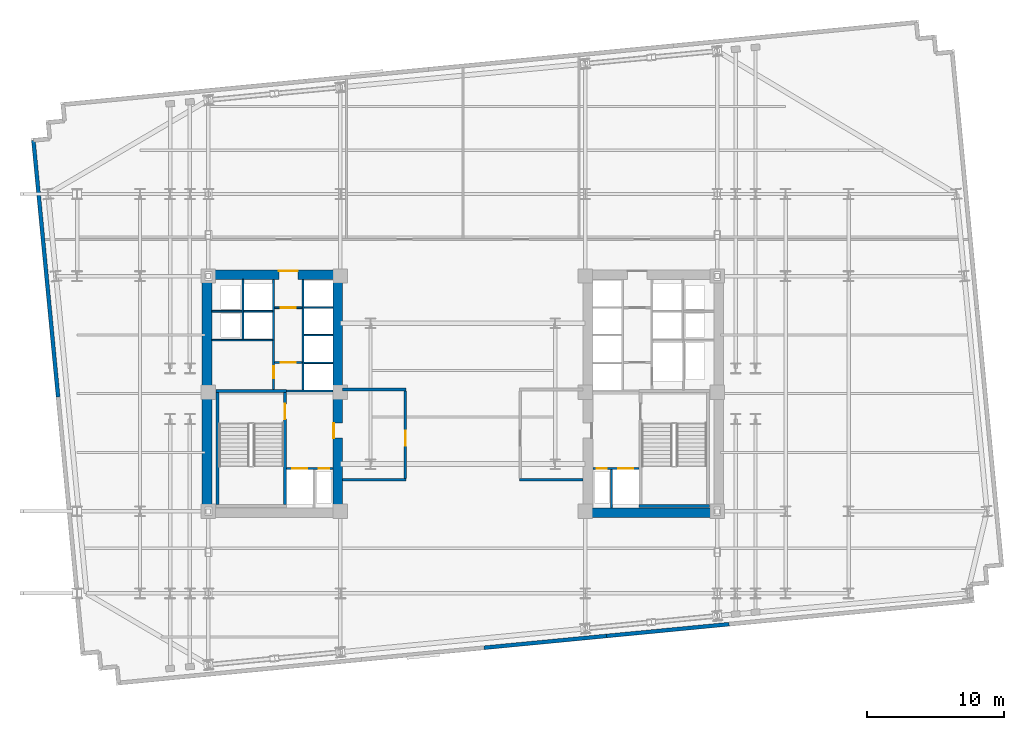
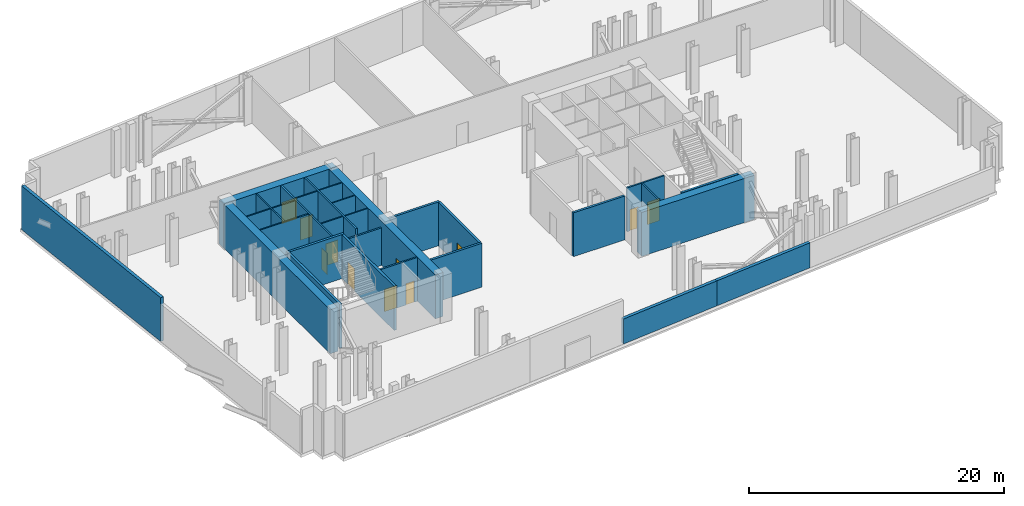
# One storey, part 5 of 9: 30 walls, 11 doors, 11 openings.
"""IFC4 building model written with IfcOpenShell, lengths in metres."""

from ifc_helpers import new_model, si_unit, direction, frame, frame_2d, origin, place, context, subcontext, project, spatial, rectangle, extrude, material, layer, layer_set, type_object, element, fill, save


model = new_model("IFC4")

# Units and contexts
model_context = context("Model", 3, precision=1e-05, world=origin(), true_north=direction((0.0, 1.0)))
body_context = subcontext(model_context, "Body", "Model", "MODEL_VIEW")
ifc_project = project(units=[si_unit("LENGTHUNIT", "METRE"), si_unit("AREAUNIT", "SQUARE_METRE"), si_unit("VOLUMEUNIT", "CUBIC_METRE"), si_unit("PLANEANGLEUNIT", "RADIAN"), si_unit("MASSUNIT", "GRAM", prefix="KILO")], contexts=[model_context])

# Site, building, storey
site_placement = place(None, origin())
site = spatial("IfcSite", under=ifc_project, at=site_placement, CompositionType="ELEMENT")
building_placement = place(site_placement, origin())
building = spatial("IfcBuilding", under=site, at=building_placement, Name="Velakula Bourse", CompositionType="ELEMENT")
storey_placement = place(building_placement, frame((0.0, 0.0, 112.14990234375)))
storey = spatial("IfcBuildingStorey", under=building, at=storey_placement, Name="L30", CompositionType="ELEMENT", Elevation=112.14990234375)

# Wall, opening, door
ifc_material_1 = material(Name="Concrete M50 (fck 50 MPa)", Category="concrete")
ifc_layer_1 = layer(ifc_material_1, 0.2099609375, Name="Concrete M50 (fck 50 MPa)", Category="concrete")
ifc_layer_set_1 = layer_set([ifc_layer_1], Name="Concrete M50 (fck 50 MPa)")
wall_type_1 = type_object("IfcWallType", Name="WL-CORE-210", PredefinedType="SHEAR", material=ifc_layer_set_1)
wall_1_placement = place(storey_placement, frame((-12.9951171875, -8.10009765625, 0.0), z_axis=(0.0, 0.0, 1.0), x_axis=(0.0, 1.0, 0.0)))
wall_1 = element("IfcWall", 1, at=wall_1_placement, inside=storey, type_object=wall_type_1, Name="L30 Core W Stairwell Shear Wall IN", PredefinedType="SHEAR", context=body_context, shape_type="SweptSolid", body=[
    extrude(rectangle(XDim=8.2001953125, YDim=0.2099609375, at=frame_2d((4.10009765625, 0.0))), origin(), (0.0, 0.0, 1.0), 4.22021484375),
])
opening_1_placement = place(wall_1_placement, frame((6.25, 0.0, 0.0)))
opening_1 = element("IfcOpeningElement", 2, at=opening_1_placement, cuts=wall_1, Name="Opening D-STW1", PredefinedType="OPENING", context=body_context, shape_type="SweptSolid", body=[
    extrude(rectangle(XDim=1.10009765625, YDim=2.14990234375, at=frame_2d((0.550048828125, 1.074951171875))), frame((0.0, 0.114990234375, 0.0), z_axis=(0.0, -1.0, 0.0), x_axis=(1.0, 0.0, 0.0)), (0.0, 0.0, 1.0), 0.22998046875),
])
ifc_material_2 = material(Name="Galvanised painted hollow steel fire door", Category="steel")
door_type_1 = type_object("IfcDoorType", Name="DR-FD120-1100x2150", OperationType="NOTDEFINED", PredefinedType="DOOR", material=ifc_material_2)
door_1_placement = place(opening_1_placement, origin())
door_1 = element("IfcDoor", 3, at=door_1_placement, inside=storey, type_object=door_type_1, Name="L30 Stair ST-W1 Fire Door", OperationType="SINGLE_SWING_LEFT", OverallHeight=2.14990234375, OverallWidth=1.10009765625, PredefinedType="DOOR", context=body_context, shape_type="SweptSolid", body=[
    extrude(rectangle(XDim=1.10009765625, YDim=2.14990234375, at=frame_2d((0.550048828125, 1.074951171875))), frame((0.0, 0.02490234375, 0.0), z_axis=(0.0, -1.0, 0.0), x_axis=(1.0, 0.0, 0.0)), (0.0, 0.0, 1.0), 0.050048828125),
])
fill(opening_1, door_1)

# Walls
wall_2_placement = place(storey_placement, frame((-17.925048828125, -8.10009765625, 0.0), z_axis=(0.0, 0.0, 1.0), x_axis=(0.0, 1.0, 0.0)))
element("IfcWall", 4, at=wall_2_placement, inside=storey, type_object=wall_type_1, Name="L30 Core W Stairwell Shear Wall OUT", PredefinedType="SHEAR", context=body_context, shape_type="SweptSolid", body=[
    extrude(rectangle(XDim=8.2001953125, YDim=0.2099609375, at=frame_2d((4.10009765625, 0.0))), origin(), (0.0, 0.0, 1.0), 4.22021484375),
])
for number, where, z_axis, x_axis, name in (
    (5, (-12.889892578125, 0.205078125, 0.0), (0.0, 0.0, 1.0), (-1.0, 0.0, 0.0), "L30 Core W Stairwell Shear Wall N"),
    (6, (12.889892578125, -8.205078125, 0.0), (0.0, 0.0, 1.0), (1.0, 0.0, 0.0), "L30 Core E Stairwell Shear Wall S"),
):
    element("IfcWall", number, at=place(storey_placement, frame(where, z_axis=z_axis, x_axis=x_axis)), inside=storey, type_object=wall_type_1, Name=name, PredefinedType="SHEAR", context=body_context, shape_type="SweptSolid", body=[
        extrude(rectangle(XDim=5.14013671875, YDim=0.2099609375, at=frame_2d((2.570068359375, 0.0))), origin(), (0.0, 0.0, 1.0), 4.22021484375),
    ])

# Wall, opening, door
ifc_material_3 = material(Name="Concrete M70 (fck 70 MPa)", Category="concrete")
ifc_layer_2 = layer(ifc_material_3, 0.699951171875, Name="Concrete M70 (fck 70 MPa)", Category="concrete")
ifc_layer_set_2 = layer_set([ifc_layer_2], Name="Concrete M70 (fck 70 MPa)")
wall_type_2 = type_object("IfcWallType", Name="WL-CORE-700", PredefinedType="SHEAR", material=ifc_layer_set_2)
wall_3_placement = place(storey_placement, frame((-19.050048828125, 8.699951171875, 0.0), z_axis=(0.0, 0.0, 1.0), x_axis=(1.0, 0.0, 0.0)))
wall_3 = element("IfcWall", 7, at=wall_3_placement, inside=storey, type_object=wall_type_2, Name="L30 Core W Shear Wall N", PredefinedType="SHEAR", context=body_context, shape_type="SweptSolid", body=[
    extrude(rectangle(XDim=10.25, YDim=0.699951171875, at=frame_2d((5.125, 0.0))), origin(), (0.0, 0.0, 1.0), 4.22021484375),
])
opening_2_placement = place(wall_3_placement, frame((5.60009765625, 0.0, 0.0)))
opening_2 = element("IfcOpeningElement", 8, at=opening_2_placement, cuts=wall_3, Name="Opening D-LLW", PredefinedType="OPENING", context=body_context, shape_type="SweptSolid", body=[
    extrude(rectangle(XDim=1.39990234375, YDim=2.050048828125, at=frame_2d((0.699951171875, 1.02490234375))), frame((0.0, 0.35986328125, 0.0), z_axis=(0.0, -1.0, 0.0), x_axis=(1.0, 0.0, 0.0)), (0.0, 0.0, 1.0), 0.719970703125),
])
ifc_material_4 = material(Name="Fire-rated hardwood flush architectural door", Category="wood")
door_type_2 = type_object("IfcDoorType", Name="DR-DBL-FD60-1400", OperationType="DOUBLE_DOOR_SINGLE_SWING", PredefinedType="DOOR", material=ifc_material_4)
door_2_placement = place(opening_2_placement, origin())
door_2 = element("IfcDoor", 9, at=door_2_placement, inside=storey, type_object=door_type_2, Name="L30 Core W Lift Lobby Corridor Double Door", OperationType="DOUBLE_DOOR_SINGLE_SWING", OverallHeight=2.050048828125, OverallWidth=1.39990234375, PredefinedType="DOOR", context=body_context, shape_type="SweptSolid", body=[
    extrude(rectangle(XDim=1.39990234375, YDim=2.050048828125, at=frame_2d((0.699951171875, 1.02490234375))), frame((0.0, 0.294921875, 0.0), z_axis=(0.0, -1.0, 0.0), x_axis=(1.0, 0.0, 0.0)), (0.0, 0.0, 1.0), 0.050048828125),
])
fill(opening_2, door_2)

# Wall
wall_4_placement = place(storey_placement, frame((-18.699951171875, -8.35009765625, 0.0), z_axis=(0.0, 0.0, 1.0), x_axis=(0.0, 1.0, 0.0)))
element("IfcWall", 10, at=wall_4_placement, inside=storey, type_object=wall_type_2, Name="L30 Core W Shear Wall W", PredefinedType="SHEAR", context=body_context, shape_type="SweptSolid", body=[
    extrude(rectangle(XDim=16.7001953125, YDim=0.699951171875, at=frame_2d((8.35009765625, 0.0))), origin(), (0.0, 0.0, 1.0), 4.22021484375),
])

# Wall, opening, door
wall_5_placement = place(storey_placement, frame((-9.14990234375, -8.35009765625, 0.0), z_axis=(0.0, 0.0, 1.0), x_axis=(0.0, 1.0, 0.0)))
wall_5 = element("IfcWall", 11, at=wall_5_placement, inside=storey, type_object=wall_type_2, Name="L30 Core W Shear Wall E", PredefinedType="SHEAR", context=body_context, shape_type="SweptSolid", body=[
    extrude(rectangle(XDim=16.7001953125, YDim=0.699951171875, at=frame_2d((8.35009765625, 0.0))), origin(), (0.0, 0.0, 1.0), 4.22021484375),
])
opening_3_placement = place(wall_5_placement, frame((5.10009765625, 0.0, 0.0)))
opening_3 = element("IfcOpeningElement", 12, at=opening_3_placement, cuts=wall_5, Name="Opening D-FLW", PredefinedType="OPENING", context=body_context, shape_type="SweptSolid", body=[
    extrude(rectangle(XDim=1.10009765625, YDim=2.080078125, at=frame_2d((0.550048828125, 1.0400390625))), frame((0.0, 0.35986328125, 0.0), z_axis=(0.0, -1.0, 0.0), x_axis=(1.0, 0.0, 0.0)), (0.0, 0.0, 1.0), 0.719970703125),
])
door_type_3 = type_object("IfcDoorType", Name="DR-FD120-1100", OperationType="NOTDEFINED", PredefinedType="DOOR", material=ifc_material_2)
door_3_placement = place(opening_3_placement, origin())
door_3 = element("IfcDoor", 13, at=door_3_placement, inside=storey, type_object=door_type_3, Name="L30 Firefighting Lobby W Corridor Fire Door", OperationType="SINGLE_SWING_LEFT", OverallHeight=2.080078125, OverallWidth=1.10009765625, PredefinedType="DOOR", context=body_context, shape_type="SweptSolid", body=[
    extrude(rectangle(XDim=1.10009765625, YDim=2.080078125, at=frame_2d((0.550048828125, 1.0400390625))), frame((0.0, 0.30517578125, 0.0), z_axis=(0.0, -1.0, 0.0), x_axis=(1.0, 0.0, 0.0)), (0.0, 0.0, 1.0), 0.050048828125),
])
fill(opening_3, door_3)

# Walls
wall_6_placement = place(storey_placement, frame((8.800048828125, -8.699951171875, 0.0), z_axis=(0.0, 0.0, 1.0), x_axis=(1.0, 0.0, 0.0)))
element("IfcWall", 14, at=wall_6_placement, inside=storey, type_object=wall_type_2, Name="L30 Core E Shear Wall S", PredefinedType="SHEAR", context=body_context, shape_type="SweptSolid", body=[
    extrude(rectangle(XDim=10.25, YDim=0.699951171875, at=frame_2d((5.125, 0.0))), origin(), (0.0, 0.0, 1.0), 4.22021484375),
])
ifc_material_5 = material(Name="Red kilned clay facing brick masonry", Category="masonry")
ifc_layer_3 = layer(ifc_material_5, 0.280029296875, Name="Red kilned clay facing brick masonry", Category="masonry")
ifc_layer_set_3 = layer_set([ifc_layer_3], Name="Red kilned clay facing brick masonry")
wall_type_3 = type_object("IfcWallType", Name="WL-EXT-BRK-280", PredefinedType="STANDARD", material=ifc_layer_set_3)
wall_7_placement = place(storey_placement, frame((10.51513671875, -17.7109375, 0.0), z_axis=(0.0, 0.0, 1.0), x_axis=(-0.995397043619, -0.095836973841, 0.0)))
element("IfcWall", 15, at=wall_7_placement, inside=storey, type_object=wall_type_3, Name="L30 S Brick Spandrel Wall B3", PredefinedType="STANDARD", context=body_context, shape_type="SweptSolid", body=[
    extrude(rectangle(XDim=9.000244140625, YDim=0.280029296875, at=frame_2d((4.5, 0.0))), origin(), (0.0, 0.0, 1.0), 2.39501953125),
])
wall_8_placement = place(storey_placement, frame((19.4736328125, -16.848388671875, 0.0), z_axis=(0.0, 0.0, 1.0), x_axis=(-0.995396794462, -0.09583956164, 0.0)))
element("IfcWall", 16, at=wall_8_placement, inside=storey, type_object=wall_type_3, Name="L30 S Brick Spandrel Wall B4", PredefinedType="STANDARD", context=body_context, shape_type="SweptSolid", body=[
    extrude(rectangle(XDim=9.0, YDim=0.280029296875, at=frame_2d((4.5, 0.0))), origin(), (0.0, 0.0, 1.0), 2.39501953125),
])
wall_9_placement = place(storey_placement, frame((-29.584716796875, -0.23388671875, 0.0), z_axis=(0.0, 0.0, 1.0), x_axis=(-0.095841297881, 0.99539662729, 0.0)))
element("IfcWall", 17, at=wall_9_placement, inside=storey, type_object=wall_type_3, Name="L30 W Brick End Wall W2", PredefinedType="STANDARD", context=body_context, shape_type="SweptSolid", body=[
    extrude(rectangle(XDim=18.840087890625, YDim=0.280029296875, at=frame_2d((9.419921875, 0.0))), origin(), (0.0, 0.0, 1.0), 4.2001953125),
])

# Wall, opening, door
ifc_material_6 = material(Name="Fire-rated double-layer gypsum drywall partition", Category="gypsum")
ifc_layer_4 = layer(ifc_material_6, 0.1201171875, Name="Fire-rated double-layer gypsum drywall partition", Category="gypsum")
ifc_layer_set_4 = layer_set([ifc_layer_4], Name="Fire-rated double-layer gypsum drywall partition")
wall_type_4 = type_object("IfcWallType", Name="WL-PART-120", PredefinedType="STANDARD", material=ifc_layer_set_4)
wall_10_placement = place(storey_placement, frame((-13.75, 2.280029296875, 0.0), z_axis=(0.0, 0.0, 1.0), x_axis=(1.0, 0.0, 0.0)))
wall_10 = element("IfcWall", 18, at=wall_10_placement, inside=storey, type_object=wall_type_4, Name="L30 Interior Partition WL-CRW-L30-LL-K3A", PredefinedType="STANDARD", context=body_context, shape_type="SweptSolid", body=[
    extrude(rectangle(XDim=2.0, YDim=0.1201171875, at=frame_2d((1.0, 0.0))), origin(), (0.0, 0.0, 1.0), 4.2001953125),
])
opening_4_placement = place(wall_10_placement, frame((0.449951171875, 0.0, 0.0)))
opening_4 = element("IfcOpeningElement", 19, at=opening_4_placement, cuts=wall_10, Name="Opening D-LK3", PredefinedType="OPENING", context=body_context, shape_type="SweptSolid", body=[
    extrude(rectangle(XDim=1.10009765625, YDim=2.10009765625, at=frame_2d((0.550048828125, 1.050048828125))), frame((0.0, 0.070068359375, 0.0), z_axis=(0.0, -1.0, 0.0), x_axis=(1.0, 0.0, 0.0)), (0.0, 0.0, 1.0), 0.14013671875),
])
door_type_4 = type_object("IfcDoorType", Name="DR-FD60-1100x2100", OperationType="NOTDEFINED", PredefinedType="DOOR", material=ifc_material_4)
door_4_placement = place(opening_4_placement, origin())
door_4 = element("IfcDoor", 20, at=door_4_placement, inside=storey, type_object=door_type_4, Name="L30 Core W Lift Lobby Vestibule Door A", OperationType="SINGLE_SWING_RIGHT", OverallHeight=2.10009765625, OverallWidth=1.10009765625, PredefinedType="DOOR", context=body_context, shape_type="SweptSolid", body=[
    extrude(rectangle(XDim=1.10009765625, YDim=2.10009765625, at=frame_2d((0.550048828125, 1.050048828125))), frame((0.0, 0.02490234375, 0.0), z_axis=(0.0, -1.0, 0.0), x_axis=(1.0, 0.0, 0.0)), (0.0, 0.0, 1.0), 0.050048828125),
])
fill(opening_4, door_4)

wall_11_placement = place(storey_placement, frame((-13.75, 6.280029296875, 0.0), z_axis=(0.0, 0.0, 1.0), x_axis=(1.0, 0.0, 0.0)))
wall_11 = element("IfcWall", 21, at=wall_11_placement, inside=storey, type_object=wall_type_4, Name="L30 Interior Partition WL-CRW-L30-LL-K3B", PredefinedType="STANDARD", context=body_context, shape_type="SweptSolid", body=[
    extrude(rectangle(XDim=2.0, YDim=0.1201171875, at=frame_2d((1.0, 0.0))), origin(), (0.0, 0.0, 1.0), 4.2001953125),
])
opening_5_placement = place(wall_11_placement, frame((0.449951171875, 0.0, 0.0)))
opening_5 = element("IfcOpeningElement", 22, at=opening_5_placement, cuts=wall_11, Name="Opening D-LK3", PredefinedType="OPENING", context=body_context, shape_type="SweptSolid", body=[
    extrude(rectangle(XDim=1.10009765625, YDim=2.10009765625, at=frame_2d((0.550048828125, 1.050048828125))), frame((0.0, 0.070068359375, 0.0), z_axis=(0.0, -1.0, 0.0), x_axis=(1.0, 0.0, 0.0)), (0.0, 0.0, 1.0), 0.14013671875),
])
door_5_placement = place(opening_5_placement, origin())
door_5 = element("IfcDoor", 23, at=door_5_placement, inside=storey, type_object=door_type_4, Name="L30 Core W Lift Lobby Vestibule Door B", OperationType="SINGLE_SWING_RIGHT", OverallHeight=2.10009765625, OverallWidth=1.10009765625, PredefinedType="DOOR", context=body_context, shape_type="SweptSolid", body=[
    extrude(rectangle(XDim=1.10009765625, YDim=2.10009765625, at=frame_2d((0.550048828125, 1.050048828125))), frame((0.0, 0.02490234375, 0.0), z_axis=(0.0, -1.0, 0.0), x_axis=(1.0, 0.0, 0.0)), (0.0, 0.0, 1.0), 0.050048828125),
])
fill(opening_5, door_5)

# Walls
for number, where, z_axis, x_axis, name in (
    (24, (-11.60009765625, 2.2548828125, 0.0), (0.0, 0.0, 1.0), (1.0, 0.0, 0.0), "L30 Interior Partition WL-CRW-L30-BDIV-0"),
    (25, (-11.60009765625, 4.284912109375, 0.0), (0.0, 0.0, 1.0), (1.0, 0.0, 0.0), "L30 Interior Partition WL-CRW-L30-BDIV-1"),
    (26, (-11.60009765625, 6.31494140625, 0.0), (0.0, 0.0, 1.0), (1.0, 0.0, 0.0), "L30 Interior Partition WL-CRW-L30-BDIV-2"),
):
    element("IfcWall", number, at=place(storey_placement, frame(where, z_axis=z_axis, x_axis=x_axis)), inside=storey, type_object=wall_type_4, Name=name, PredefinedType="STANDARD", context=body_context, shape_type="SweptSolid", body=[
        extrude(rectangle(XDim=2.10009765625, YDim=0.110107421875, at=frame_2d((1.050048828125, 0.0))), origin(), (0.0, 0.0, 1.0), 4.2001953125),
    ])
wall_12_placement = place(storey_placement, frame((-18.35009765625, 3.919921875, 0.0), z_axis=(0.0, 0.0, 1.0), x_axis=(1.0, 0.0, 0.0)))
element("IfcWall", 27, at=wall_12_placement, inside=storey, type_object=wall_type_4, Name="L30 Interior Partition WL-CRW-L30-HI-S", PredefinedType="STANDARD", context=body_context, shape_type="SweptSolid", body=[
    extrude(rectangle(XDim=4.4501953125, YDim=0.1201171875, at=frame_2d((2.22509765625, 0.0))), origin(), (0.0, 0.0, 1.0), 4.2001953125),
])
wall_13_placement = place(storey_placement, frame((-18.35009765625, 6.030029296875, 0.0), z_axis=(0.0, 0.0, 1.0), x_axis=(1.0, 0.0, 0.0)))
element("IfcWall", 28, at=wall_13_placement, inside=storey, type_object=wall_type_4, Name="L30 Interior Partition WL-CRW-L30-RIS-MID", PredefinedType="STANDARD", context=body_context, shape_type="SweptSolid", body=[
    extrude(rectangle(XDim=2.2001953125, YDim=0.1201171875, at=frame_2d((1.10009765625, 0.0))), origin(), (0.0, 0.0, 1.0), 4.2001953125),
])
wall_14_placement = place(storey_placement, frame((-16.074951171875, 3.97998046875, 0.0), z_axis=(0.0, 0.0, 1.0), x_axis=(0.0, 1.0, 0.0)))
element("IfcWall", 29, at=wall_14_placement, inside=storey, type_object=wall_type_4, Name="L30 Interior Partition WL-CRW-L30-RIS-F", PredefinedType="STANDARD", context=body_context, shape_type="SweptSolid", body=[
    extrude(rectangle(XDim=4.3701171875, YDim=0.1201171875, at=frame_2d((2.18505859375, 0.0))), origin(), (0.0, 0.0, 1.0), 4.2001953125),
])
wall_15_placement = place(storey_placement, frame((-16.0, 6.030029296875, 0.0), z_axis=(0.0, 0.0, 1.0), x_axis=(1.0, 0.0, 0.0)))
element("IfcWall", 30, at=wall_15_placement, inside=storey, type_object=wall_type_4, Name="L30 Interior Partition WL-CRW-L30-HI-DIV", PredefinedType="STANDARD", context=body_context, shape_type="SweptSolid", body=[
    extrude(rectangle(XDim=2.10009765625, YDim=0.1201171875, at=frame_2d((1.050048828125, 0.0))), origin(), (0.0, 0.0, 1.0), 4.2001953125),
])

# Wall, openings, doors
ifc_material_7 = material(Name="Autoclaved aerated concrete blockwork masonry", Category="masonry")
ifc_layer_5 = layer(ifc_material_7, 0.14990234375, Name="Autoclaved aerated concrete blockwork masonry", Category="masonry")
ifc_layer_set_5 = layer_set([ifc_layer_5], Name="Autoclaved aerated concrete blockwork masonry")
wall_type_5 = type_object("IfcWallType", Name="WL-SHAFT-150", PredefinedType="STANDARD", material=ifc_layer_set_5)
wall_16_placement = place(storey_placement, frame((-12.89501953125, -5.47509765625, 0.0), z_axis=(0.0, 0.0, 1.0), x_axis=(1.0, 0.0, 0.0)))
wall_16 = element("IfcWall", 31, at=wall_16_placement, inside=storey, type_object=wall_type_5, Name="L30 Interior Partition WL-CRW-L30-FFL-N", PredefinedType="STANDARD", context=body_context, shape_type="SweptSolid", body=[
    extrude(rectangle(XDim=3.39501953125, YDim=0.14990234375, at=frame_2d((1.697509765625, 0.0))), origin(), (0.0, 0.0, 1.0), 4.2001953125),
])
opening_6_placement = place(wall_16_placement, frame((0.419921875, 0.0, 0.0)))
opening_6 = element("IfcOpeningElement", 32, at=opening_6_placement, cuts=wall_16, Name="Opening LD-FFL-1", PredefinedType="OPENING", context=body_context, shape_type="SweptSolid", body=[
    extrude(rectangle(XDim=1.10009765625, YDim=2.14990234375, at=frame_2d((0.550048828125, 1.074951171875))), frame((0.0, 0.0849609375, 0.0), z_axis=(0.0, -1.0, 0.0), x_axis=(1.0, 0.0, 0.0)), (0.0, 0.0, 1.0), 0.169921875),
])
opening_7_placement = place(wall_16_placement, frame((2.3701171875, 0.0, 0.0)))
opening_7 = element("IfcOpeningElement", 33, at=opening_7_placement, cuts=wall_16, Name="Opening D-RS1", PredefinedType="OPENING", context=body_context, shape_type="SweptSolid", body=[
    extrude(rectangle(XDim=0.75, YDim=2.050048828125, at=frame_2d((0.375, 1.02490234375))), frame((0.0, 0.0849609375, 0.0), z_axis=(0.0, -1.0, 0.0), x_axis=(1.0, 0.0, 0.0)), (0.0, 0.0, 1.0), 0.169921875),
])
door_type_5 = type_object("IfcDoorType", Name="DR-RISER-800", OperationType="NOTDEFINED", PredefinedType="DOOR", material=ifc_material_2)
door_6_placement = place(opening_7_placement, origin())
door_6 = element("IfcDoor", 34, at=door_6_placement, inside=storey, type_object=door_type_5, Name="L30 Fire Riser Access Door", OperationType="SINGLE_SWING_RIGHT", OverallHeight=2.050048828125, OverallWidth=0.75, PredefinedType="DOOR", context=body_context, shape_type="SweptSolid", body=[
    extrude(rectangle(XDim=0.75, YDim=2.050048828125, at=frame_2d((0.375, 1.02490234375))), frame((0.0, 0.02490234375, 0.0), z_axis=(0.0, -1.0, 0.0), x_axis=(1.0, 0.0, 0.0)), (0.0, 0.0, 1.0), 0.050048828125),
])
fill(opening_7, door_6)
ifc_material_8 = material(Name="Brushed grade 316 stainless steel", Category="steel")
door_type_6 = type_object("IfcDoorType", Name="DR-SLIDE-FFL-1100", OperationType="DOUBLE_DOOR_SLIDING", PredefinedType="DOOR", material=ifc_material_8)
door_7_placement = place(opening_6_placement, origin())
door_7 = element("IfcDoor", 35, at=door_7_placement, inside=storey, type_object=door_type_6, Name="L30 Firefighting Lift FFL-1 Sliding Landing Door", OperationType="DOUBLE_DOOR_SLIDING", OverallHeight=2.14990234375, OverallWidth=1.10009765625, PredefinedType="DOOR", context=body_context, shape_type="SweptSolid", body=[
    extrude(rectangle(XDim=1.10009765625, YDim=2.14990234375, at=frame_2d((0.550048828125, 1.074951171875))), frame((0.0, 0.02490234375, 0.0), z_axis=(0.0, -1.0, 0.0), x_axis=(1.0, 0.0, 0.0)), (0.0, 0.0, 1.0), 0.050048828125),
])
fill(opening_6, door_7)

# Walls
wall_17_placement = place(storey_placement, frame((-12.889892578125, 0.18994140625, 0.0), z_axis=(0.0, 0.0, 1.0), x_axis=(1.0, 0.0, 0.0)))
element("IfcWall", 36, at=wall_17_placement, inside=storey, type_object=wall_type_5, Name="L30 Interior Partition WL-CRW-L30-FF-TOP", PredefinedType="STANDARD", context=body_context, shape_type="SweptSolid", body=[
    extrude(rectangle(XDim=3.389892578125, YDim=0.14990234375, at=frame_2d((1.69482421875, 0.0))), origin(), (0.0, 0.0, 1.0), 3.59521484375),
])
wall_18_placement = place(storey_placement, frame((-11.675048828125, 0.27001953125, 0.0), z_axis=(0.0, 0.0, 1.0), x_axis=(0.0, 1.0, 0.0)))
element("IfcWall", 37, at=wall_18_placement, inside=storey, type_object=wall_type_5, Name="L30 Interior Partition WL-CRW-L30-BANK-F", PredefinedType="STANDARD", context=body_context, shape_type="SweptSolid", body=[
    extrude(rectangle(XDim=8.080078125, YDim=0.14990234375, at=frame_2d((4.0400390625, 0.0))), origin(), (0.0, 0.0, 1.0), 4.2001953125),
])

# Wall, opening, door
wall_19_placement = place(storey_placement, frame((-13.824951171875, 0.27001953125, 0.0), z_axis=(0.0, 0.0, 1.0), x_axis=(0.0, 1.0, 0.0)))
wall_19 = element("IfcWall", 38, at=wall_19_placement, inside=storey, type_object=wall_type_5, Name="L30 Interior Partition WL-CRW-L30-OUT-F", PredefinedType="STANDARD", context=body_context, shape_type="SweptSolid", body=[
    extrude(rectangle(XDim=8.080078125, YDim=0.14990234375, at=frame_2d((4.0400390625, 0.0))), origin(), (0.0, 0.0, 1.0), 4.2001953125),
])
opening_8_placement = place(wall_19_placement, frame((0.85009765625, 0.0, 0.0)))
opening_8 = element("IfcOpeningElement", 39, at=opening_8_placement, cuts=wall_19, Name="Opening D-CR3", PredefinedType="OPENING", context=body_context, shape_type="SweptSolid", body=[
    extrude(rectangle(XDim=0.89990234375, YDim=2.050048828125, at=frame_2d((0.449951171875, 1.02490234375))), frame((0.0, 0.0849609375, 0.0), z_axis=(0.0, -1.0, 0.0), x_axis=(1.0, 0.0, 0.0)), (0.0, 0.0, 1.0), 0.169921875),
])
door_type_7 = type_object("IfcDoorType", Name="DR-INT-900", OperationType="NOTDEFINED", PredefinedType="DOOR", material=ifc_material_4)
door_8_placement = place(opening_8_placement, origin())
door_8 = element("IfcDoor", 40, at=door_8_placement, inside=storey, type_object=door_type_7, Name="L30 Core Stationery and Mail Room Door", OperationType="SINGLE_SWING_RIGHT", OverallHeight=2.050048828125, OverallWidth=0.89990234375, PredefinedType="DOOR", context=body_context, shape_type="SweptSolid", body=[
    extrude(rectangle(XDim=0.89990234375, YDim=2.050048828125, at=frame_2d((0.449951171875, 1.02490234375))), frame((0.0, 0.02490234375, 0.0), z_axis=(0.0, -1.0, 0.0), x_axis=(1.0, 0.0, 0.0)), (0.0, 0.0, 1.0), 0.050048828125),
])
fill(opening_8, door_8)

# Wall, openings, doors
wall_20_placement = place(storey_placement, frame((9.5, -5.47509765625, 0.0), z_axis=(0.0, 0.0, 1.0), x_axis=(1.0, 0.0, 0.0)))
wall_20 = element("IfcWall", 41, at=wall_20_placement, inside=storey, type_object=wall_type_5, Name="L30 Interior Partition WL-CRE-L30-FFL-N", PredefinedType="STANDARD", context=body_context, shape_type="SweptSolid", body=[
    extrude(rectangle(XDim=3.39501953125, YDim=0.14990234375, at=frame_2d((1.697509765625, 0.0))), origin(), (0.0, 0.0, 1.0), 4.2001953125),
])
opening_9_placement = place(wall_20_placement, frame((1.875, 0.0, 0.0)))
opening_9 = element("IfcOpeningElement", 42, at=opening_9_placement, cuts=wall_20, Name="Opening LD-FFL-2", PredefinedType="OPENING", context=body_context, shape_type="SweptSolid", body=[
    extrude(rectangle(XDim=1.10009765625, YDim=2.14990234375, at=frame_2d((0.550048828125, 1.074951171875))), frame((0.0, 0.0849609375, 0.0), z_axis=(0.0, -1.0, 0.0), x_axis=(1.0, 0.0, 0.0)), (0.0, 0.0, 1.0), 0.169921875),
])
opening_10_placement = place(wall_20_placement, frame((0.27490234375, 0.0, 0.0)))
opening_10 = element("IfcOpeningElement", 43, at=opening_10_placement, cuts=wall_20, Name="Opening D-RS1", PredefinedType="OPENING", context=body_context, shape_type="SweptSolid", body=[
    extrude(rectangle(XDim=0.75, YDim=2.050048828125, at=frame_2d((0.375, 1.02490234375))), frame((0.0, 0.0849609375, 0.0), z_axis=(0.0, -1.0, 0.0), x_axis=(1.0, 0.0, 0.0)), (0.0, 0.0, 1.0), 0.169921875),
])
door_9_placement = place(opening_10_placement, origin())
door_9 = element("IfcDoor", 44, at=door_9_placement, inside=storey, type_object=door_type_5, Name="L30 Fire Riser Access Door", OperationType="SINGLE_SWING_LEFT", OverallHeight=2.050048828125, OverallWidth=0.75, PredefinedType="DOOR", context=body_context, shape_type="SweptSolid", body=[
    extrude(rectangle(XDim=0.75, YDim=2.050048828125, at=frame_2d((0.375, 1.02490234375))), frame((0.0, 0.02490234375, 0.0), z_axis=(0.0, -1.0, 0.0), x_axis=(1.0, 0.0, 0.0)), (0.0, 0.0, 1.0), 0.050048828125),
])
fill(opening_10, door_9)
door_10_placement = place(opening_9_placement, origin())
door_10 = element("IfcDoor", 45, at=door_10_placement, inside=storey, type_object=door_type_6, Name="L30 Firefighting Lift FFL-2 Sliding Landing Door", OperationType="DOUBLE_DOOR_SLIDING", OverallHeight=2.14990234375, OverallWidth=1.10009765625, PredefinedType="DOOR", context=body_context, shape_type="SweptSolid", body=[
    extrude(rectangle(XDim=1.10009765625, YDim=2.14990234375, at=frame_2d((0.550048828125, 1.074951171875))), frame((0.0, 0.02490234375, 0.0), z_axis=(0.0, -1.0, 0.0), x_axis=(1.0, 0.0, 0.0)), (0.0, 0.0, 1.0), 0.050048828125),
])
fill(opening_9, door_10)

# Wall
wall_21_placement = place(storey_placement, frame((10.875, -8.35009765625, 0.0), z_axis=(0.0, 0.0, 1.0), x_axis=(0.0, 1.0, 0.0)))
element("IfcWall", 46, at=wall_21_placement, inside=storey, type_object=wall_type_5, Name="L30 Interior Partition WL-CRE-L30-FR-DIV", PredefinedType="STANDARD", context=body_context, shape_type="SweptSolid", body=[
    extrude(rectangle(XDim=2.800048828125, YDim=0.14990234375, at=frame_2d((1.39990234375, 0.0))), origin(), (0.0, 0.0, 1.0), 4.2001953125),
])

# Wall, opening, door
ifc_layer_6 = layer(ifc_material_7, 0.199951171875, Name="Autoclaved aerated concrete blockwork masonry", Category="masonry")
ifc_layer_set_6 = layer_set([ifc_layer_6], Name="Autoclaved aerated concrete blockwork masonry")
wall_type_6 = type_object("IfcWallType", Name="WL-SHAFT-200", PredefinedType="STANDARD", material=ifc_layer_set_6)
wall_22_placement = place(storey_placement, frame((-4.199951171875, -6.199951171875, 0.0), z_axis=(0.0, 0.0, 1.0), x_axis=(0.0, 1.0, 0.0)))
wall_22 = element("IfcWall", 47, at=wall_22_placement, inside=storey, type_object=wall_type_6, Name="L30 Interior Partition WL-REF-L30-W", PredefinedType="STANDARD", context=body_context, shape_type="SweptSolid", body=[
    extrude(rectangle(XDim=6.39990234375, YDim=0.199951171875, at=frame_2d((3.199951171875, 0.0))), origin(), (0.0, 0.0, 1.0), 4.2001953125),
])
opening_11_placement = place(wall_22_placement, frame((2.39990234375, 0.0, 0.0)))
opening_11 = element("IfcOpeningElement", 48, at=opening_11_placement, cuts=wall_22, Name="Opening D-RF1", PredefinedType="OPENING", context=body_context, shape_type="SweptSolid", body=[
    extrude(rectangle(XDim=1.10009765625, YDim=2.080078125, at=frame_2d((0.550048828125, 1.0400390625))), frame((0.0, 0.10986328125, 0.0), z_axis=(0.0, -1.0, 0.0), x_axis=(1.0, 0.0, 0.0)), (0.0, 0.0, 1.0), 0.219970703125),
])
door_11_placement = place(opening_11_placement, origin())
door_11 = element("IfcDoor", 49, at=door_11_placement, inside=storey, type_object=door_type_3, Name="L30 West Refuge Area Fire Door", OperationType="SINGLE_SWING_LEFT", OverallHeight=2.080078125, OverallWidth=1.10009765625, PredefinedType="DOOR", context=body_context, shape_type="SweptSolid", body=[
    extrude(rectangle(XDim=1.10009765625, YDim=2.080078125, at=frame_2d((0.550048828125, 1.0400390625))), frame((0.0, 0.02490234375, 0.0), z_axis=(0.0, -1.0, 0.0), x_axis=(1.0, 0.0, 0.0)), (0.0, 0.0, 1.0), 0.050048828125),
])
fill(opening_11, door_11)

# Walls
for number, where, z_axis, x_axis, name in (
    (50, (-8.800048828125, -6.300048828125, 0.0), (0.0, 0.0, 1.0), (1.0, 0.0, 0.0), "L30 Interior Partition WL-REF-L30-W-S"),
    (51, (-8.800048828125, 0.300048828125, 0.0), (0.0, 0.0, 1.0), (1.0, 0.0, 0.0), "L30 Interior Partition WL-REF-L30-W-N"),
    (52, (4.14990234375, -6.300048828125, 0.0), (0.0, 0.0, 1.0), (1.0, 0.0, 0.0), "L30 Interior Partition WL-REF-L30-E-S"),
):
    element("IfcWall", number, at=place(storey_placement, frame(where, z_axis=z_axis, x_axis=x_axis)), inside=storey, type_object=wall_type_6, Name=name, PredefinedType="STANDARD", context=body_context, shape_type="SweptSolid", body=[
        extrude(rectangle(XDim=4.650146484375, YDim=0.199951171875, at=frame_2d((2.3251953125, 0.0))), origin(), (0.0, 0.0, 1.0), 4.2001953125),
    ])

save(model, "model.ifc")
